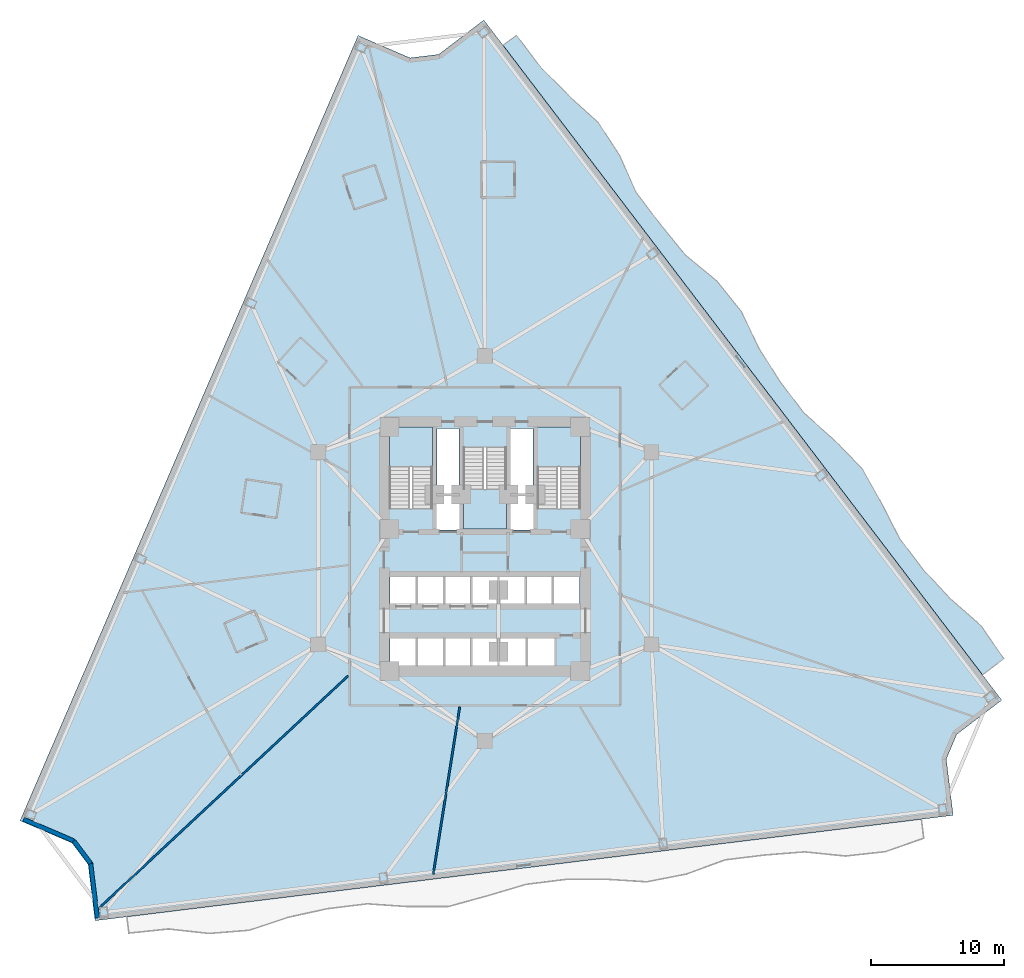
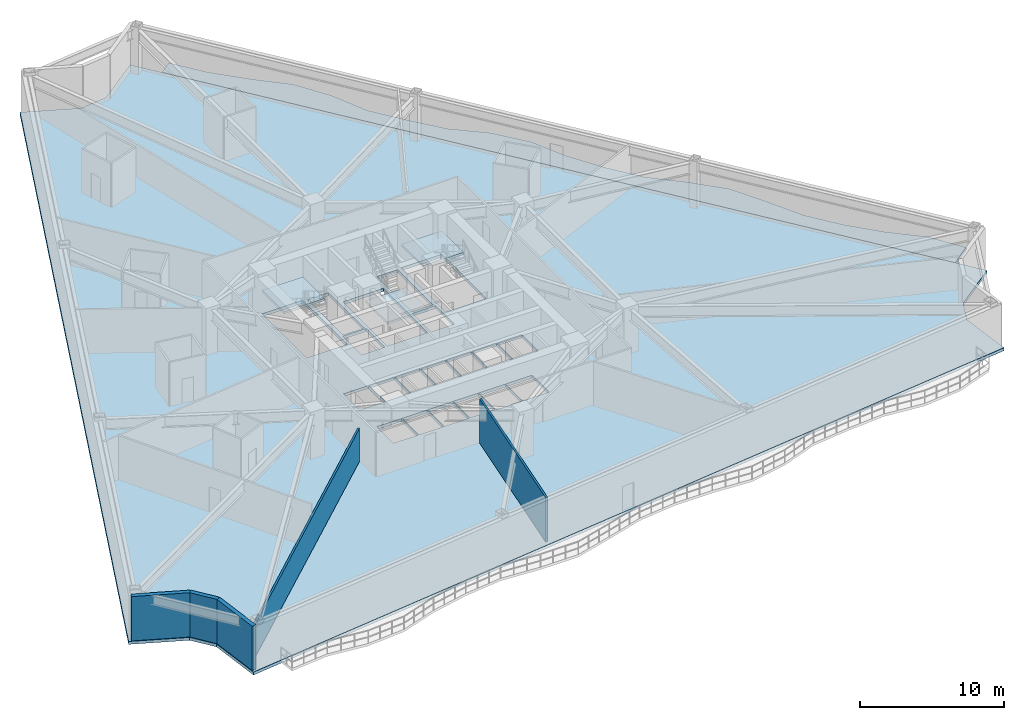
# One storey, part 2 of 10: 5 slabs, 5 walls, 3 elements without a shape of their own.
"""IFC4 building model written with IfcOpenShell, lengths in metres."""

import ifcopenshell
import ifcopenshell.guid

model = None  # the IFC model being written
_history = None  # IfcOwnerHistory: only IFC2X3 demands one
_inside = {}  # id of a spatial element -> (the spatial element, [elements in it])
_under = {}  # id of a project, library or spatial element -> (it, [spatial elements below it])
_declared = {}  # id of a project -> (the project, [libraries it declares])
_typed = {}  # id of a type object -> (the type object, [elements of that type])
_made_of = {}  # id of a material, layer set ... -> (it, [elements and type objects made of it])


def new_model(schema):
    """Start an empty IFC model of exactly this schema.

    Asked for "IFC4X3", IfcOpenShell would pick the latest addendum, in which some entities
    have other attributes; the version numbers below select the first issue.
    IFC2X3 requires an IfcOwnerHistory on every rooted entity: one is made here for all.
    """
    global model, _history
    if schema == "IFC4X3":
        model = ifcopenshell.file(schema_version=(4, 3, 0, 0))
    else:
        model = ifcopenshell.file(schema=schema)
    _inside.clear()
    _under.clear()
    _declared.clear()
    _typed.clear()
    _made_of.clear()
    _history = None
    if model.schema == "IFC2X3":
        org = make("IfcOrganization", Name="unknown")
        user = make(
            "IfcPersonAndOrganization",
            ThePerson=make("IfcPerson", FamilyName="unknown"),
            TheOrganization=org,
        )
        app = make(
            "IfcApplication",
            ApplicationDeveloper=org,
            Version="unknown",
            ApplicationFullName="unknown",
            ApplicationIdentifier="unknown",
        )
        _history = make(
            "IfcOwnerHistory",
            OwningUser=user,
            OwningApplication=app,
            ChangeAction="ADDED",
            CreationDate=0,
        )
    return model


def make(cls, **values):
    """One entity of the class cls with the attributes given. An attribute that is None is left unset."""
    return model.create_entity(
        cls, **{name: value for name, value in values.items() if value is not None}
    )


def rooted(cls, **values):
    """An entity with a GlobalId (a new one), such as an element, a storey or a relation."""
    return make(cls, GlobalId=ifcopenshell.guid.new(), OwnerHistory=_history, **values)


def si_unit(unit_type, name, prefix=None):
    """IfcSIUnit, for example si_unit("LENGTHUNIT", "METRE", prefix="MILLI")."""
    return make("IfcSIUnit", UnitType=unit_type, Prefix=prefix, Name=name)


def assignment(units):
    """IfcUnitAssignment: the units of a project."""
    return None if units is None else make("IfcUnitAssignment", Units=units)


def point(xyz):
    """IfcCartesianPoint."""
    return None if xyz is None else make("IfcCartesianPoint", Coordinates=xyz)


def direction(xyz):
    """IfcDirection."""
    return None if xyz is None else make("IfcDirection", DirectionRatios=xyz)


def frame(location, z_axis=None, x_axis=None):
    """IfcAxis2Placement3D, a coordinate frame: its origin and axes. An axis left out is left unset."""
    return make(
        "IfcAxis2Placement3D",
        Location=point(location),
        Axis=direction(z_axis),
        RefDirection=direction(x_axis),
    )


def frame_2d(location, x_axis=None):
    """IfcAxis2Placement2D, a coordinate frame in the plane: its origin and x axis."""
    return make(
        "IfcAxis2Placement2D", Location=point(location), RefDirection=direction(x_axis)
    )


def origin():
    """The frame at (0, 0, 0) with its axes left unset."""
    return frame((0.0, 0.0, 0.0))


def place(relative_to, where):
    """IfcLocalPlacement: puts the frame where relative to a parent placement (None: the world)."""
    return make(
        "IfcLocalPlacement", PlacementRelTo=relative_to, RelativePlacement=where
    )


def context(
    kind, dimensions, precision=None, world=None, true_north=None, identifier=None
):
    """IfcGeometricRepresentationContext, for example the 3D "Model" context."""
    return make(
        "IfcGeometricRepresentationContext",
        ContextIdentifier=identifier,
        ContextType=kind,
        CoordinateSpaceDimension=dimensions,
        Precision=precision,
        WorldCoordinateSystem=world,
        TrueNorth=true_north,
    )


def subcontext(parent, identifier, kind, view, scale=None):
    """IfcGeometricRepresentationSubContext, for example "Body" below "Model"."""
    return make(
        "IfcGeometricRepresentationSubContext",
        ContextIdentifier=identifier,
        ContextType=kind,
        ParentContext=parent,
        TargetScale=scale,
        TargetView=view,
    )


def project(units=None, contexts=None):
    """IfcProject with its units and contexts."""
    return rooted(
        "IfcProject",
        Name="project",
        RepresentationContexts=contexts,
        UnitsInContext=assignment(units),
    )


def spatial(cls, under=None, at=None, **own):
    """A site, building, storey or space (cls), placed at a placement, below another one or the project."""
    s = rooted(cls, ObjectPlacement=at, **own)
    if under is not None:
        _under.setdefault(under.id(), (under, []))[1].append(s)
    return s


def polyline(points):
    """IfcPolyline through the points."""
    return make("IfcPolyline", Points=[point(p) for p in points])


def profile(cls, at=None, kind="AREA", **sizes):
    """A parametric profile (cls). Its sizes go by their IFC names, for example OverallWidth=200.0."""
    return make(cls, ProfileType=kind, Position=at, **sizes)


def rectangle(**sizes):
    """IfcRectangleProfileDef."""
    return profile("IfcRectangleProfileDef", **sizes)


def outline(outer, holes=None, kind="AREA"):
    """IfcArbitraryClosedProfileDef: a profile drawn as a closed curve; with holes, ...WithVoids."""
    if holes is None:
        return make("IfcArbitraryClosedProfileDef", ProfileType=kind, OuterCurve=outer)
    return make(
        "IfcArbitraryProfileDefWithVoids",
        ProfileType=kind,
        OuterCurve=outer,
        InnerCurves=holes,
    )


def extrude(swept, where, along, depth):
    """IfcExtrudedAreaSolid: the profile swept, set in the frame where, extruded along a direction by depth."""
    return make(
        "IfcExtrudedAreaSolid",
        SweptArea=swept,
        Position=where,
        ExtrudedDirection=direction(along),
        Depth=depth,
    )


def shape(context_of_items, identifier, shape_type, items):
    """IfcShapeRepresentation: the items that make up one representation, for example the "Body"."""
    return make(
        "IfcShapeRepresentation",
        ContextOfItems=context_of_items,
        RepresentationIdentifier=identifier,
        RepresentationType=shape_type,
        Items=items,
    )


def material(Name=None, Category=None):
    """IfcMaterial."""
    return make("IfcMaterial", Name=Name, Category=Category)


def layer(
    of_material, thickness, ventilated=None, Name=None, Category=None, Priority=None
):
    """IfcMaterialLayer: one layer of a wall or slab, of a material (None: an air gap)."""
    return make(
        "IfcMaterialLayer",
        Material=of_material,
        LayerThickness=thickness,
        IsVentilated=ventilated,
        Name=Name,
        Category=Category,
        Priority=Priority,
    )


def layer_set(layers, Name=None):
    """IfcMaterialLayerSet."""
    return make("IfcMaterialLayerSet", MaterialLayers=layers, LayerSetName=Name)


def made_of(thing, what):
    """Note that an element or type object is made of a material, layer set ...; save() writes the relation."""
    if what is not None:
        _made_of.setdefault(what.id(), (what, []))[1].append(thing)
    return thing


def type_object(cls, material=None, **own):
    """A type object (cls), such as IfcWallType, which elements share."""
    return made_of(rooted(cls, **own), material)


def element(
    cls,
    number,
    at=None,
    inside=None,
    cuts=None,
    type_object=None,
    material=None,
    context=None,
    identifier="Body",
    shape_type=None,
    held_by="IfcProductDefinitionShape",
    body=None,
    shapes=None,
    **own,
):
    """One element of the class cls, such as IfcWall. Its Tag is "e" and its number.

    at: its placement. inside: the storey or other place that contains it. cuts: it is an
    opening in that element (IfcRelVoidsElement). A single representation is given by context,
    identifier, shape_type and body (its items); several are given by shapes. held_by: the class
    of the entity that holds the representations. save() writes the other relations.
    """
    e = rooted(cls, Tag="e%d" % number, ObjectPlacement=at, **own)
    if body is not None:
        shapes = [shape(context, identifier, shape_type, body)]
    if shapes is not None:
        e.Representation = make(held_by, Representations=shapes)
    if inside is not None:
        _inside.setdefault(inside.id(), (inside, []))[1].append(e)
    if cuts is not None:
        rooted(
            "IfcRelVoidsElement", RelatingBuildingElement=cuts, RelatedOpeningElement=e
        )
    if type_object is not None:
        _typed.setdefault(type_object.id(), (type_object, []))[1].append(e)
    return made_of(e, material)


def aggregate(whole, parts):
    """IfcRelAggregates: a whole, such as a stair, and the parts it consists of."""
    return rooted("IfcRelAggregates", RelatingObject=whole, RelatedObjects=parts)


def save(model, path):
    """Write the relations noted so far, then the file.

    IfcRelAggregates (storeys below a building ...), IfcRelContainedInSpatialStructure (elements
    in a storey), IfcRelDefinesByType, IfcRelAssociatesMaterial and IfcRelDeclares: one each for
    every whole, place, type object, material and project.
    """
    for whole, parts in _under.values():
        aggregate(whole, parts)
    for where, things in _inside.values():
        rooted(
            "IfcRelContainedInSpatialStructure",
            RelatedElements=things,
            RelatingStructure=where,
        )
    for kind, things in _typed.values():
        rooted("IfcRelDefinesByType", RelatedObjects=things, RelatingType=kind)
    for what, things in _made_of.values():
        rooted("IfcRelAssociatesMaterial", RelatedObjects=things, RelatingMaterial=what)
    for by, libraries in _declared.values():
        rooted("IfcRelDeclares", RelatingContext=by, RelatedDefinitions=libraries)
    model.write(path)


model = new_model("IFC4")

# Units and contexts
model_context = context("Model", 3, precision=1e-05, world=origin(), true_north=direction((0.0, 1.0)))
body_context = subcontext(model_context, "Body", "Model", "MODEL_VIEW")
ifc_project = project(units=[si_unit("LENGTHUNIT", "METRE"), si_unit("AREAUNIT", "SQUARE_METRE"), si_unit("VOLUMEUNIT", "CUBIC_METRE"), si_unit("PLANEANGLEUNIT", "RADIAN"), si_unit("MASSUNIT", "GRAM", prefix="KILO")], contexts=[model_context])

# Site, building, storey
site_placement = place(None, origin())
site = spatial("IfcSite", under=ifc_project, at=site_placement, CompositionType="ELEMENT")
building_placement = place(site_placement, origin())
building = spatial("IfcBuilding", under=site, at=building_placement, Name="Apsidion Concourse Tower", CompositionType="ELEMENT")
storey_placement = place(building_placement, frame((0.0, 0.0, 87.0)))
storey = spatial("IfcBuildingStorey", under=building, at=storey_placement, Name="L19", CompositionType="ELEMENT", Elevation=87.0)

# Slabs
ifc_material_1 = material(Name="Concrete C50/60", Category="concrete")
ifc_layer_1 = layer(ifc_material_1, 0.219970703125)
ifc_layer_set_1 = layer_set([ifc_layer_1], Name="Concrete C50/60")
slab_type_1 = type_object("IfcSlabType", Name="SL-BAL-220", PredefinedType="FLOOR", material=ifc_layer_set_1)
slab_1_placement = place(storey_placement, frame((0.0, 0.0, -0.219970703125)))
element("IfcSlab", 1, at=slab_1_placement, inside=storey, type_object=slab_type_1, Name="L19 Face 3 Rippling Balcony Slab", PredefinedType="FLOOR", context=body_context, shape_type="SweptSolid", body=[
    extrude(outline(polyline([(37.5224609375, -9.535400390625), (35.715087890625, -7.162353515625), (33.907958984375, -4.789306640625), (32.1005859375, -2.416015625), (30.29345703125, -0.04296875), (28.486083984375, 2.330078125), (26.6787109375, 4.703125), (24.87158203125, 7.076171875), (23.064208984375, 9.44921875), (21.2568359375, 11.822509765625), (19.44970703125, 14.195556640625), (17.642333984375, 16.568603515625), (15.835205078125, 18.941650390625), (14.02783203125, 21.314697265625), (12.220458984375, 23.687744140625), (10.4130859375, 26.060791015625), (8.60595703125, 28.43408203125), (6.798583984375, 30.80712890625), (4.991455078125, 33.18017578125), (3.18408203125, 35.55322265625), (1.376708984375, 37.926513671875), (2.371337890625, 38.68359375), (4.178466796875, 36.310546875), (6.286865234375, 34.166748046875), (8.52880859375, 32.124755859375), (10.163330078125, 29.6201171875), (11.40771484375, 26.818359375), (13.215087890625, 24.4453125), (15.10546875, 22.135498046875), (17.462158203125, 20.1806640625), (19.33740234375, 17.859375), (20.648193359375, 15.108154296875), (22.25146484375, 12.579833984375), (24.05859375, 10.206787109375), (26.32470703125, 8.18310546875), (28.4287109375, 6.035888671875), (29.90087890625, 3.40771484375), (31.287841796875, 0.71435546875), (33.09521484375, -1.65869140625), (35.14794921875, -3.8447265625), (37.427490234375, -5.8583984375), (39.121337890625, -8.31787109375), (37.5224609375, -9.535400390625)])), origin(), (0.0, 0.0, 1.0), 0.219970703125),
])
ifc_layer_2 = layer(ifc_material_1, 0.25)
ifc_layer_set_2 = layer_set([ifc_layer_2], Name="Concrete C50/60")
slab_type_2 = type_object("IfcSlabType", Name="SL-FLR-250", PredefinedType="FLOOR", material=ifc_layer_set_2)
slab_2_placement = place(storey_placement, frame((0.0, 0.0, -0.25)))
element("IfcSlab", 2, at=slab_2_placement, inside=storey, type_object=slab_type_2, Name="L19 Structural Floor Slab", PredefinedType="FLOOR", context=body_context, shape_type="SweptSolid", body=[
    extrude(outline(polyline([(-0.077392578125, 39.835693359375), (-3.478271484375, 37.24560546875), (-5.6357421875, 36.980712890625), (-9.56201171875, 38.671142578125), (-35.050048828125, -20.5341796875), (-31.123779296875, -22.224365234375), (-29.914794921875, -23.83740234375), (-29.393798828125, -28.080078125), (35.313720703125, -20.13525390625), (34.792724609375, -15.89208984375), (35.57568359375, -14.03466796875), (38.9765625, -11.444580078125), (-0.077392578125, 39.835693359375)]), holes=[polyline([(-3.949951171875, 3.0), (-3.949951171875, 9.14990234375), (-7.199951171875, 9.14990234375), (-7.199951171875, 3.0), (-3.949951171875, 3.0)]), polyline([(7.199951171875, 3.0), (7.199951171875, 9.14990234375), (3.949951171875, 9.14990234375), (3.949951171875, 3.0), (7.199951171875, 3.0)]), polyline([(-1.625, 7.60009765625), (-1.625, 1.449951171875), (1.625, 1.449951171875), (1.625, 7.60009765625), (-1.625, 7.60009765625)]), polyline([(-7.14501953125, -4.300048828125), (-5.155029296875, -4.300048828125), (-5.155029296875, -2.050048828125), (-7.14501953125, -2.050048828125), (-7.14501953125, -4.300048828125)]), polyline([(-5.094970703125, -4.300048828125), (-3.10498046875, -4.300048828125), (-3.10498046875, -2.050048828125), (-5.094970703125, -2.050048828125), (-5.094970703125, -4.300048828125)]), polyline([(-3.044921875, -4.300048828125), (-1.054931640625, -4.300048828125), (-1.054931640625, -2.050048828125), (-3.044921875, -2.050048828125), (-3.044921875, -4.300048828125)]), polyline([(-0.9951171875, -4.300048828125), (0.9951171875, -4.300048828125), (0.9951171875, -2.050048828125), (-0.9951171875, -2.050048828125), (-0.9951171875, -4.300048828125)]), polyline([(1.054931640625, -4.300048828125), (3.044921875, -4.300048828125), (3.044921875, -2.050048828125), (1.054931640625, -2.050048828125), (1.054931640625, -4.300048828125)]), polyline([(3.10498046875, -4.300048828125), (5.094970703125, -4.300048828125), (5.094970703125, -2.050048828125), (3.10498046875, -2.050048828125), (3.10498046875, -4.300048828125)]), polyline([(5.155029296875, -4.300048828125), (7.14501953125, -4.300048828125), (7.14501953125, -2.050048828125), (5.155029296875, -2.050048828125), (5.155029296875, -4.300048828125)]), polyline([(-7.14501953125, -8.949951171875), (-5.155029296875, -8.949951171875), (-5.155029296875, -6.64990234375), (-7.14501953125, -6.64990234375), (-7.14501953125, -8.949951171875)]), polyline([(-5.094970703125, -8.949951171875), (-3.10498046875, -8.949951171875), (-3.10498046875, -6.64990234375), (-5.094970703125, -6.64990234375), (-5.094970703125, -8.949951171875)]), polyline([(-3.044921875, -8.949951171875), (-1.054931640625, -8.949951171875), (-1.054931640625, -6.64990234375), (-3.044921875, -6.64990234375), (-3.044921875, -8.949951171875)]), polyline([(-0.9951171875, -8.949951171875), (0.9951171875, -8.949951171875), (0.9951171875, -6.64990234375), (-0.9951171875, -6.64990234375), (-0.9951171875, -8.949951171875)]), polyline([(1.044921875, -9.0), (3.155029296875, -9.0), (3.155029296875, -6.64990234375), (1.044921875, -6.64990234375), (1.044921875, -9.0)]), polyline([(3.195068359375, -9.0), (5.304931640625, -9.0), (5.304931640625, -6.64990234375), (3.195068359375, -6.64990234375), (3.195068359375, -9.0)]), polyline([(-3.7099609375, 1.39990234375), (-1.85009765625, 1.39990234375), (-1.85009765625, 4.0), (-3.7099609375, 4.0), (-3.7099609375, 1.39990234375)]), polyline([(1.85009765625, 1.39990234375), (3.7099609375, 1.39990234375), (3.7099609375, 4.0), (1.85009765625, 4.0), (1.85009765625, 1.39990234375)]), polyline([(-3.6201171875, 4.14990234375), (-1.93994140625, 4.14990234375), (-1.93994140625, 9.050048828125), (-3.6201171875, 9.050048828125), (-3.6201171875, 4.14990234375)]), polyline([(1.93994140625, 4.14990234375), (3.6201171875, 4.14990234375), (3.6201171875, 9.050048828125), (1.93994140625, 9.050048828125), (1.93994140625, 4.14990234375)])]), origin(), (0.0, 0.0, 1.0), 0.25),
])

# Stair, slab
ifc_material_2 = material(Name="Precast concrete C40/50", Category="concrete")
stair_type = type_object("IfcStairType", Name="ST-DL-1550", PredefinedType="HALF_TURN_STAIR", material=ifc_material_2)
stair_1_placement = place(storey_placement, origin())
stair_1 = element("IfcStair", 3, at=stair_1_placement, inside=storey, type_object=stair_type, Name="L19 Protected Core Exit Stair ST1", PredefinedType="HALF_TURN_STAIR")
ifc_layer_3 = layer(ifc_material_1, 0.199951171875)
ifc_layer_set_3 = layer_set([ifc_layer_3], Name="Concrete C50/60")
slab_type_3 = type_object("IfcSlabType", Name="SL-ST-LAND-200", PredefinedType="LANDING", material=ifc_layer_set_3)
slab_3_placement = place(storey_placement, frame((0.0, 0.0, 1.800048828125)))
slab_3 = element("IfcSlab", 4, at=slab_3_placement, type_object=slab_type_3, Name="ST1 landing 1", PredefinedType="LANDING", context=body_context, shape_type="SweptSolid", body=[
    extrude(outline(polyline([(-3.949951171875, 6.135009765625), (-3.949951171875, 9.14990234375), (-7.199951171875, 9.14990234375), (-7.199951171875, 6.135009765625), (-3.949951171875, 6.135009765625)])), origin(), (0.0, 0.0, 1.0), 0.199951171875),
])
aggregate(stair_1, [slab_3])

stair_2_placement = place(storey_placement, origin())
stair_2 = element("IfcStair", 5, at=stair_2_placement, inside=storey, type_object=stair_type, Name="L19 Protected Core Exit Stair ST2", PredefinedType="HALF_TURN_STAIR")
slab_4_placement = place(storey_placement, frame((0.0, 0.0, 1.800048828125)))
slab_4 = element("IfcSlab", 6, at=slab_4_placement, type_object=slab_type_3, Name="ST2 landing 1", PredefinedType="LANDING", context=body_context, shape_type="SweptSolid", body=[
    extrude(outline(polyline([(7.199951171875, 6.135009765625), (7.199951171875, 9.14990234375), (3.949951171875, 9.14990234375), (3.949951171875, 6.135009765625), (7.199951171875, 6.135009765625)])), origin(), (0.0, 0.0, 1.0), 0.199951171875),
])
aggregate(stair_2, [slab_4])

stair_3_placement = place(storey_placement, origin())
stair_3 = element("IfcStair", 7, at=stair_3_placement, inside=storey, type_object=stair_type, Name="L19 Protected Core Exit Stair ST3", PredefinedType="HALF_TURN_STAIR")
slab_5_placement = place(storey_placement, frame((0.0, 0.0, 1.800048828125)))
slab_5 = element("IfcSlab", 8, at=slab_5_placement, type_object=slab_type_3, Name="ST3 landing 1", PredefinedType="LANDING", context=body_context, shape_type="SweptSolid", body=[
    extrude(outline(polyline([(-1.625, 4.465087890625), (-1.625, 1.449951171875), (1.625, 1.449951171875), (1.625, 4.465087890625), (-1.625, 4.465087890625)])), origin(), (0.0, 0.0, 1.0), 0.199951171875),
])
aggregate(stair_3, [slab_5])

# Walls
ifc_layer_4 = layer(ifc_material_2, 0.320068359375)
ifc_layer_set_4 = layer_set([ifc_layer_4], Name="Precast concrete C40/50")
wall_type_1 = type_object("IfcWallType", Name="WL-EXT-320", PredefinedType="STANDARD", material=ifc_layer_set_4)
wall_1_placement = place(storey_placement, frame((-29.219482421875, -27.857421875, 0.0), z_axis=(0.0, 0.0, 1.0), x_axis=(-0.121887213021, 0.992543957365, 0.0)))
element("IfcWall", 9, at=wall_1_placement, inside=storey, type_object=wall_type_1, Name="L19 Precast Stone Facade Wall 06", PredefinedType="STANDARD", context=body_context, shape_type="SweptSolid", body=[
    extrude(rectangle(XDim=4.128173828125, YDim=0.320068359375, at=frame_2d((2.06396484375, 0.0))), origin(), (0.0, 0.0, 1.0), 3.75),
])
wall_2_placement = place(storey_placement, frame((-29.72265625, -23.760009765625, 0.0), z_axis=(0.0, 0.0, 1.0), x_axis=(-0.59977911486, 0.800165616218, 0.0)))
element("IfcWall", 10, at=wall_2_placement, inside=storey, type_object=wall_type_1, Name="L19 Precast Stone Facade Wall 07", PredefinedType="STANDARD", context=body_context, shape_type="SweptSolid", body=[
    extrude(rectangle(XDim=2.122314453125, YDim=0.320068359375, at=frame_2d((1.06103515625, 0.0))), origin(), (0.0, 0.0, 1.0), 3.75),
])
wall_3_placement = place(storey_placement, frame((-30.99560546875, -22.061767578125, 0.0), z_axis=(0.0, 0.0, 1.0), x_axis=(-0.918504494871, 0.395410537165, 0.0)))
element("IfcWall", 11, at=wall_3_placement, inside=storey, type_object=wall_type_1, Name="L19 Precast Stone Facade Wall 08", PredefinedType="STANDARD", context=body_context, shape_type="SweptSolid", body=[
    extrude(rectangle(XDim=4.128173828125, YDim=0.320068359375, at=frame_2d((2.06396484375, 0.0))), origin(), (0.0, 0.0, 1.0), 3.75),
])
ifc_material_3 = material(Name="Gypsum plasterboard partition")
ifc_layer_5 = layer(ifc_material_3, 0.14990234375)
ifc_layer_set_5 = layer_set([ifc_layer_5], Name="Gypsum plasterboard partition")
wall_type_2 = type_object("IfcWallType", Name="WL-INT-PAR-150", PredefinedType="PARTITIONING", material=ifc_layer_set_5)
wall_4_placement = place(storey_placement, frame((-10.304931640625, -9.609619140625, 0.0), z_axis=(0.0, 0.0, 1.0), x_axis=(-0.731352971377, -0.681999143151, 0.0)))
element("IfcWall", 12, at=wall_4_placement, inside=storey, type_object=wall_type_2, Name="L19 Interior Partition WL-L19-RAD-07-1", PredefinedType="PARTITIONING", context=body_context, shape_type="SweptSolid", body=[
    extrude(rectangle(XDim=25.73779296875, YDim=0.14990234375, at=frame_2d((12.868896484375, 0.0))), origin(), (0.0, 0.0, 1.0), 2.798095703125),
])
wall_5_placement = place(storey_placement, frame((-1.8935546875, -11.955078125, 0.0), z_axis=(0.0, 0.0, 1.0), x_axis=(-0.15642189172, -0.987690331931, 0.0)))
element("IfcWall", 13, at=wall_5_placement, inside=storey, type_object=wall_type_2, Name="L19 Interior Partition WL-L19-RAD-08-1", PredefinedType="PARTITIONING", context=body_context, shape_type="SweptSolid", body=[
    extrude(rectangle(XDim=12.7734375, YDim=0.14990234375, at=frame_2d((6.38671875, 0.0))), origin(), (0.0, 0.0, 1.0), 3.75),
])

save(model, "model.ifc")
